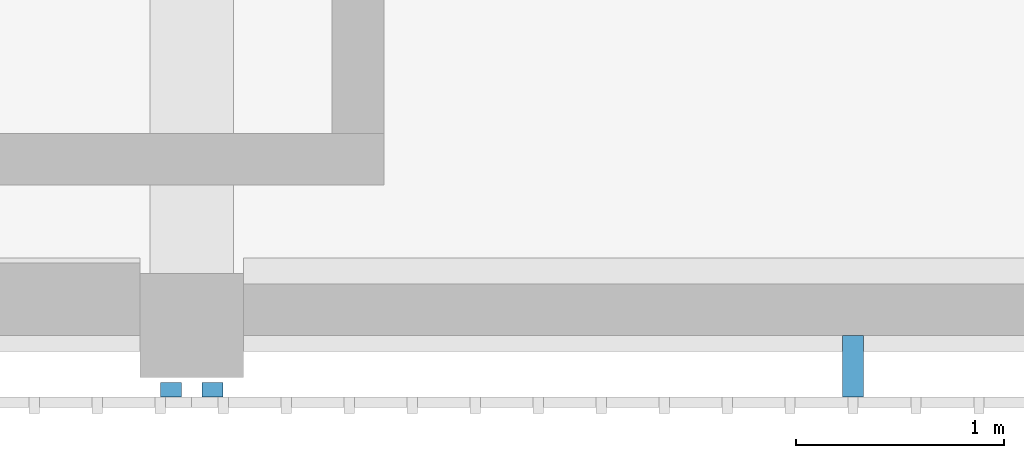
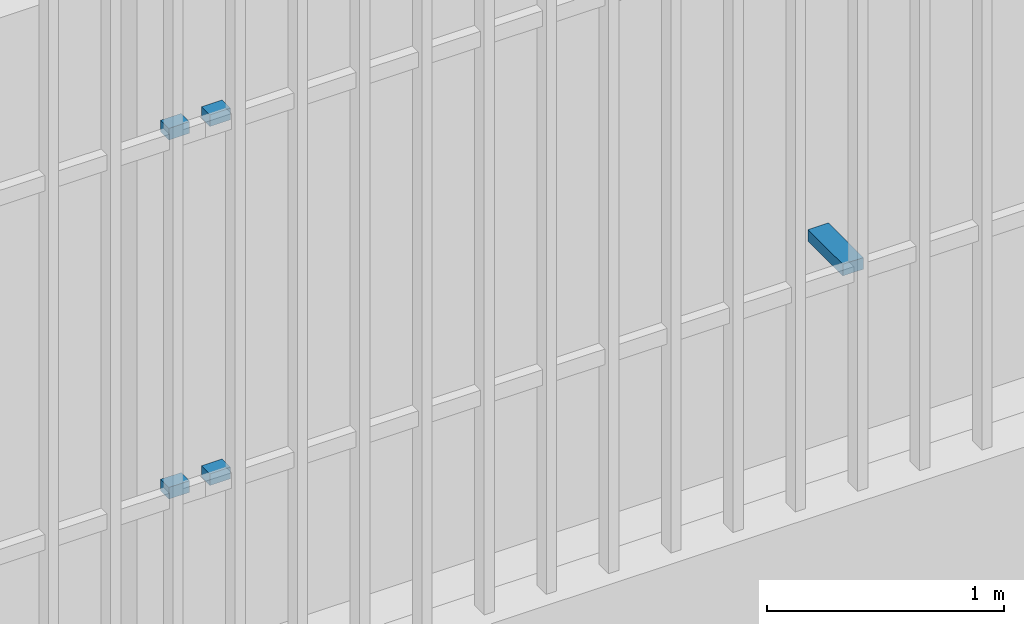
# One storey, part 61 of 91: 5 discrete accessories.
"""IFC4 building model written with IfcOpenShell, lengths in metres."""

from ifc_helpers import new_model, si_unit, direction, frame, origin, origin_2d, place, context, subcontext, project, spatial, rectangle, extrude, material, type_object, element, save


model = new_model("IFC4")

# Units and contexts
model_context = context("Model", 3, precision=1e-05, world=origin(), true_north=direction((0.0, 1.0)))
body_context = subcontext(model_context, "Body", "Model", "MODEL_VIEW")
ifc_project = project(units=[si_unit("LENGTHUNIT", "METRE"), si_unit("AREAUNIT", "SQUARE_METRE"), si_unit("VOLUMEUNIT", "CUBIC_METRE"), si_unit("PLANEANGLEUNIT", "RADIAN"), si_unit("MASSUNIT", "GRAM", prefix="KILO")], contexts=[model_context])

# Site, building, storey
site_placement = place(None, origin())
site = spatial("IfcSite", under=ifc_project, at=site_placement, CompositionType="ELEMENT")
building_placement = place(site_placement, origin())
building = spatial("IfcBuilding", under=site, at=building_placement, Name="Shirokan Park Arena", CompositionType="ELEMENT")
storey_placement = place(building_placement, frame((0.0, 0.0, 24.570068359375)))
storey = spatial("IfcBuildingStorey", under=building, at=storey_placement, Name="L05", CompositionType="ELEMENT", Elevation=24.570068359375)

# Discrete accessories
ifc_material = material(Name="Steel S355", Category="steel")
discrete_accessory_type = type_object("IfcDiscreteAccessoryType", Name="Veil bracket 100x60", PredefinedType="BRACKET", material=ifc_material)
for number, where, z_axis, x_axis, name in (
    (1, (27.199951171875, -0.409912109375, 1.06982421875), (0.0, 0.0, 1.0), (1.0, 0.0, 0.0), "Veil bracket south bay 3 L05 2"),
    (2, (27.199951171875, -0.409912109375, 2.919921875), (0.0, 0.0, 1.0), (1.0, 0.0, 0.0), "Veil bracket south bay 3 L05 4"),
    (3, (27.39990234375, -0.409912109375, 1.06982421875), (0.0, 0.0, 1.0), (1.0, 0.0, 0.0), "Veil bracket south bay 4 L05 1"),
    (4, (27.39990234375, -0.409912109375, 2.919921875), (0.0, 0.0, 1.0), (1.0, 0.0, 0.0), "Veil bracket south bay 4 L05 3"),
):
    element("IfcDiscreteAccessory", number, at=place(storey_placement, frame(where, z_axis=z_axis, x_axis=x_axis)), inside=storey, type_object=discrete_accessory_type, Name=name, PredefinedType="BRACKET", context=body_context, shape_type="SweptSolid", body=[
        extrude(rectangle(XDim=0.10009765625, YDim=0.070068359375, at=origin_2d()), origin(), (0.0, 0.0, 1.0), 0.06005859375),
    ])
discrete_accessory_placement = place(storey_placement, frame((30.485107421875, -0.297607421875, 1.06982421875), z_axis=(0.0, 0.0, 1.0), x_axis=(1.0, 0.0, 0.0)))
element("IfcDiscreteAccessory", 5, at=discrete_accessory_placement, inside=storey, type_object=discrete_accessory_type, Name="Veil bracket south bay 4 L05 wall 1", PredefinedType="BRACKET", context=body_context, shape_type="SweptSolid", body=[
    extrude(rectangle(XDim=0.10009765625, YDim=0.294921875, at=origin_2d()), origin(), (0.0, 0.0, 1.0), 0.06005859375),
])

save(model, "model.ifc")
